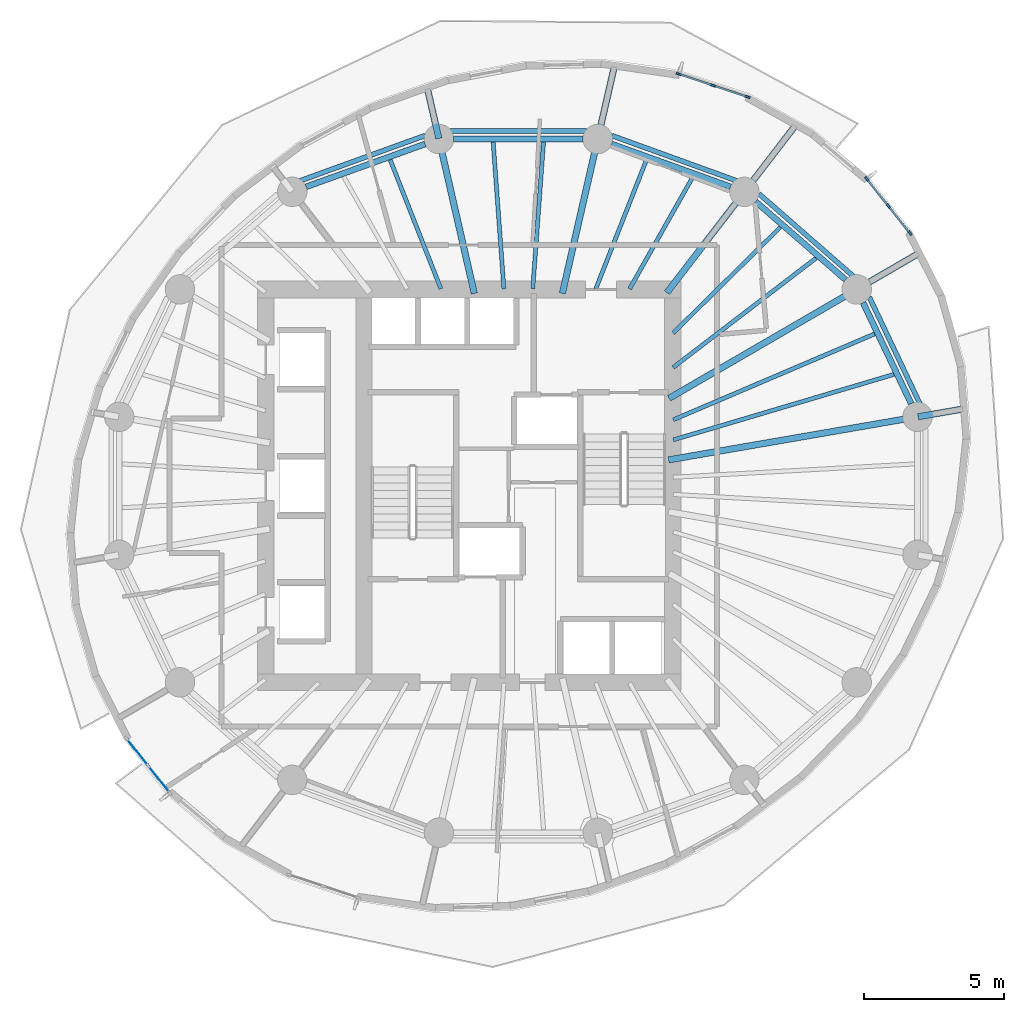
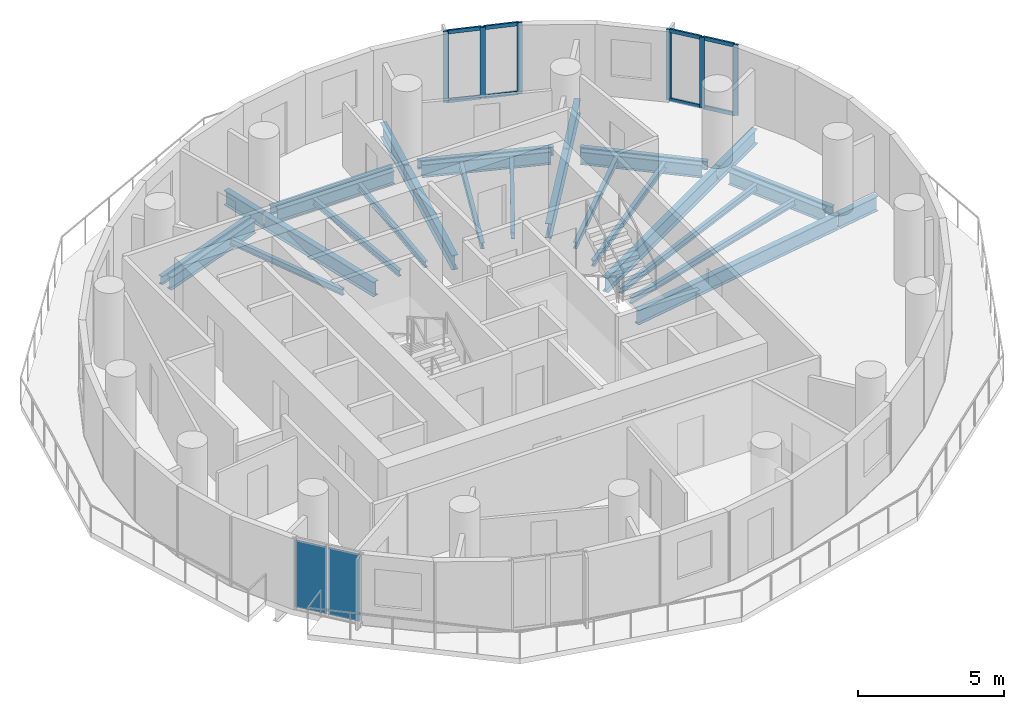
# One storey, part 3 of 12: 29 beams, 14 members, 2 plates, 3 elements without a shape of their own.
"""IFC4 building model written with IfcOpenShell, lengths in metres."""

from ifc_helpers import new_model, si_unit, direction, frame, origin, origin_2d, place, context, subcontext, project, spatial, rectangle, i_section, extrude, material, layer, layer_set, material_profile, profile_set, type_object, element, aggregate, save


model = new_model("IFC4")

# Units and contexts
model_context = context("Model", 3, precision=1e-05, world=origin(), true_north=direction((0.0, 1.0)))
body_context = subcontext(model_context, "Body", "Model", "MODEL_VIEW")
ifc_project = project(units=[si_unit("LENGTHUNIT", "METRE"), si_unit("AREAUNIT", "SQUARE_METRE"), si_unit("VOLUMEUNIT", "CUBIC_METRE"), si_unit("PLANEANGLEUNIT", "RADIAN"), si_unit("MASSUNIT", "GRAM", prefix="KILO")], contexts=[model_context])

# Site, building, storey
site_placement = place(None, origin())
site = spatial("IfcSite", under=ifc_project, at=site_placement, CompositionType="ELEMENT")
building_placement = place(site_placement, origin())
building = spatial("IfcBuilding", under=site, at=building_placement, Name="Veldorim Arch Residences", CompositionType="ELEMENT")
storey_placement = place(building_placement, frame((0.0, 0.0, 132.9599609375)))
storey = spatial("IfcBuildingStorey", under=building, at=storey_placement, Name="L39", CompositionType="ELEMENT", Elevation=132.9599609375)

# Beams
ifc_material_1 = material(Name="Steel S355", Category="steel")
ifc_material_profile_1 = material_profile(ifc_material_1, i_section(OverallWidth=0.2099609375, OverallDepth=0.53662109375, WebThickness=0.0107421875, FlangeThickness=0.017333984375, at=origin_2d()), Name="UB533x210x101")
ifc_profile_set_1 = profile_set([ifc_material_profile_1], Name="Steel S355")
beam_type_1 = type_object("IfcBeamType", Name="Structural Steel Beam UB533x210x101", PredefinedType="BEAM", material=ifc_profile_set_1)
beam_1_placement = place(storey_placement, frame((45.99560546875, 26.931884765625, -0.50830078125), z_axis=(-0.43028577851, 0.902692721147, 0.0), x_axis=(-0.902692721147, -0.43028577851, 0.0)))
element("IfcBeam", 1, at=beam_1_placement, inside=storey, type_object=beam_type_1, Name="L39 perimeter ring tie beam 01", PredefinedType="BEAM", context=body_context, shape_type="SweptSolid", body=[
    extrude(i_section(OverallWidth=0.2099609375, OverallDepth=0.53662109375, WebThickness=0.0107421875, FlangeThickness=0.017333984375, at=origin_2d()), origin(), (0.0, 0.0, 1.0), 3.98193359375),
])
beam_2_placement = place(storey_placement, frame((43.659912109375, 31.344482421875, -0.50830078125), z_axis=(-0.754810789581, 0.655942582802, 0.0), x_axis=(-0.655942582802, -0.754810789581, 0.0)))
element("IfcBeam", 2, at=beam_2_placement, inside=storey, type_object=beam_type_1, Name="L39 perimeter ring tie beam 02", PredefinedType="BEAM", context=body_context, shape_type="SweptSolid", body=[
    extrude(i_section(OverallWidth=0.2099609375, OverallDepth=0.53662109375, WebThickness=0.0107421875, FlangeThickness=0.017333984375, at=origin_2d()), origin(), (0.0, 0.0, 1.0), 4.249755859375),
])
beam_3_placement = place(storey_placement, frame((39.561767578125, 34.654296875, -0.50830078125), z_axis=(-0.940899155006, 0.338686846673, 0.0), x_axis=(-0.338686846673, -0.940899155006, 0.0)))
element("IfcBeam", 3, at=beam_3_placement, inside=storey, type_object=beam_type_1, Name="L39 perimeter ring tie beam 03", PredefinedType="BEAM", context=body_context, shape_type="SweptSolid", body=[
    extrude(i_section(OverallWidth=0.2099609375, OverallDepth=0.53662109375, WebThickness=0.0107421875, FlangeThickness=0.017333984375, at=origin_2d()), origin(), (0.0, 0.0, 1.0), 4.50537109375),
])
beam_4_placement = place(storey_placement, frame((34.3037109375, 36.35791015625, -0.50830078125), z_axis=(-1.0, 0.0, 0.0), x_axis=(0.0, -1.0, 0.0)))
element("IfcBeam", 4, at=beam_4_placement, inside=storey, type_object=beam_type_1, Name="L39 perimeter ring tie beam 04", PredefinedType="BEAM", context=body_context, shape_type="SweptSolid", body=[
    extrude(i_section(OverallWidth=0.2099609375, OverallDepth=0.53662109375, WebThickness=0.0107421875, FlangeThickness=0.017333984375, at=origin_2d()), origin(), (0.0, 0.0, 1.0), 4.607421875),
])
beam_5_placement = place(storey_placement, frame((28.67724609375, 36.18017578125, -0.50830078125), z_axis=(-0.940899155006, -0.338686846673, 0.0), x_axis=(0.338686846673, -0.940899155006, 0.0)))
element("IfcBeam", 5, at=beam_5_placement, inside=storey, type_object=beam_type_1, Name="L39 perimeter ring tie beam 05", PredefinedType="BEAM", context=body_context, shape_type="SweptSolid", body=[
    extrude(i_section(OverallWidth=0.2099609375, OverallDepth=0.53662109375, WebThickness=0.0107421875, FlangeThickness=0.017333984375, at=origin_2d()), origin(), (0.0, 0.0, 1.0), 4.50537109375),
])
ifc_material_2 = material(Name="Steel S355", Category="steel")
ifc_material_profile_2 = material_profile(ifc_material_2, i_section(OverallWidth=0.22900390625, OverallDepth=0.6123046875, WebThickness=0.011962890625, FlangeThickness=0.01953125, at=origin_2d()), Name="UB610x229x125")
ifc_profile_set_2 = profile_set([ifc_material_profile_2], Name="Steel S355")
beam_type_2 = type_object("IfcBeamType", Name="Structural Steel Beam UB610x229x125", PredefinedType="BEAM", material=ifc_profile_set_2)
beam_6_placement = place(storey_placement, frame((37.352294921875, 24.925048828125, -0.546142578125), z_axis=(0.985389398766, 0.170316566427, 0.0), x_axis=(-0.170316566427, 0.985389398766, 0.0)))
element("IfcBeam", 6, at=beam_6_placement, inside=storey, type_object=beam_type_2, Name="L39 radial floor girder 01", PredefinedType="BEAM", context=body_context, shape_type="SweptSolid", body=[
    extrude(i_section(OverallWidth=0.22900390625, OverallDepth=0.6123046875, WebThickness=0.011962890625, FlangeThickness=0.01953125, at=origin_2d()), origin(), (0.0, 0.0, 1.0), 8.98046875),
])
beam_7_placement = place(storey_placement, frame((46.2412109375, 26.46142578125, -0.546142578125), z_axis=(0.985381722232, 0.170360974082, 0.0), x_axis=(-0.170360974082, 0.985381722232, 0.0)))
element("IfcBeam", 7, at=beam_7_placement, inside=storey, type_object=beam_type_2, Name="L39 radial edge cantilever girder 01", PredefinedType="BEAM", context=body_context, shape_type="SweptSolid", body=[
    extrude(i_section(OverallWidth=0.22900390625, OverallDepth=0.6123046875, WebThickness=0.011962890625, FlangeThickness=0.01953125, at=origin_2d()), origin(), (0.0, 0.0, 1.0), 1.6923828125),
])
beam_8_placement = place(storey_placement, frame((37.370361328125, 27.1181640625, -0.546142578125), z_axis=(0.864793381443, 0.502127879542, 0.0), x_axis=(-0.502127879542, 0.864793381443, 0.0)))
element("IfcBeam", 8, at=beam_8_placement, inside=storey, type_object=beam_type_2, Name="L39 radial floor girder 02", PredefinedType="BEAM", context=body_context, shape_type="SweptSolid", body=[
    extrude(i_section(OverallWidth=0.22900390625, OverallDepth=0.6123046875, WebThickness=0.011962890625, FlangeThickness=0.01953125, at=origin_2d()), origin(), (0.0, 0.0, 1.0), 7.71142578125),
])
beam_9_placement = place(storey_placement, frame((44.073486328125, 31.01025390625, -0.546142578125), z_axis=(0.864786295309, 0.502140083488, 0.0), x_axis=(-0.502140083488, 0.864786295309, 0.0)))
element("IfcBeam", 9, at=beam_9_placement, inside=storey, type_object=beam_type_2, Name="L39 radial edge cantilever girder 02", PredefinedType="BEAM", context=body_context, shape_type="SweptSolid", body=[
    extrude(i_section(OverallWidth=0.22900390625, OverallDepth=0.6123046875, WebThickness=0.011962890625, FlangeThickness=0.01953125, at=origin_2d()), origin(), (0.0, 0.0, 1.0), 2.579833984375),
])
beam_10_placement = place(storey_placement, frame((37.291259765625, 30.881103515625, -0.546142578125), z_axis=(0.609559199361, 0.792740551804, 0.0), x_axis=(-0.792740551804, 0.609559199361, 0.0)))
element("IfcBeam", 10, at=beam_10_placement, inside=storey, type_object=beam_type_2, Name="L39 radial floor girder 03", PredefinedType="BEAM", context=body_context, shape_type="SweptSolid", body=[
    extrude(i_section(OverallWidth=0.22900390625, OverallDepth=0.6123046875, WebThickness=0.011962890625, FlangeThickness=0.01953125, at=origin_2d()), origin(), (0.0, 0.0, 1.0), 4.515380859375),
])
beam_11_placement = place(storey_placement, frame((40.068115234375, 34.492431640625, -0.546142578125), z_axis=(0.609562364778, 0.792738117821, 0.0), x_axis=(-0.792738117821, 0.609562364778, 0.0)))
element("IfcBeam", 11, at=beam_11_placement, inside=storey, type_object=beam_type_2, Name="L39 radial edge cantilever girder 03", PredefinedType="BEAM", context=body_context, shape_type="SweptSolid", body=[
    extrude(i_section(OverallWidth=0.22900390625, OverallDepth=0.6123046875, WebThickness=0.011962890625, FlangeThickness=0.01953125, at=origin_2d()), origin(), (0.0, 0.0, 1.0), 3.021484375),
])
beam_12_placement = place(storey_placement, frame((33.56884765625, 30.853759765625, -0.546142578125), z_axis=(0.223119342184, 0.974791136164, 0.0), x_axis=(-0.974791136164, 0.223119342184, 0.0)))
element("IfcBeam", 12, at=beam_12_placement, inside=storey, type_object=beam_type_2, Name="L39 radial floor girder 04", PredefinedType="BEAM", context=body_context, shape_type="SweptSolid", body=[
    extrude(i_section(OverallWidth=0.22900390625, OverallDepth=0.6123046875, WebThickness=0.011962890625, FlangeThickness=0.01953125, at=origin_2d()), origin(), (0.0, 0.0, 1.0), 5.62646484375),
])
beam_13_placement = place(storey_placement, frame((34.833251953125, 36.37744140625, -0.546142578125), z_axis=(0.223142644538, 0.974785802209, 0.0), x_axis=(-0.974785802209, 0.223142644538, 0.0)))
element("IfcBeam", 13, at=beam_13_placement, inside=storey, type_object=beam_type_2, Name="L39 radial edge cantilever girder 04", PredefinedType="BEAM", context=body_context, shape_type="SweptSolid", body=[
    extrude(i_section(OverallWidth=0.22900390625, OverallDepth=0.6123046875, WebThickness=0.011962890625, FlangeThickness=0.01953125, at=origin_2d()), origin(), (0.0, 0.0, 1.0), 2.6904296875),
])
beam_14_placement = place(storey_placement, frame((30.43115234375, 30.853759765625, -0.546142578125), z_axis=(-0.223119342184, 0.974791136164, 0.0), x_axis=(-0.974791136164, -0.223119342184, 0.0)))
element("IfcBeam", 14, at=beam_14_placement, inside=storey, type_object=beam_type_2, Name="L39 radial floor girder 05", PredefinedType="BEAM", context=body_context, shape_type="SweptSolid", body=[
    extrude(i_section(OverallWidth=0.22900390625, OverallDepth=0.6123046875, WebThickness=0.011962890625, FlangeThickness=0.01953125, at=origin_2d()), origin(), (0.0, 0.0, 1.0), 5.62646484375),
])
beam_15_placement = place(storey_placement, frame((29.166748046875, 36.37744140625, -0.546142578125), z_axis=(-0.223112606044, 0.97479267797, 0.0), x_axis=(-0.97479267797, -0.223112606044, 0.0)))
element("IfcBeam", 15, at=beam_15_placement, inside=storey, type_object=beam_type_2, Name="L39 radial edge cantilever girder 05", PredefinedType="BEAM", context=body_context, shape_type="SweptSolid", body=[
    extrude(i_section(OverallWidth=0.22900390625, OverallDepth=0.6123046875, WebThickness=0.011962890625, FlangeThickness=0.01953125, at=origin_2d()), origin(), (0.0, 0.0, 1.0), 1.888671875),
])
ifc_material_3 = material(Name="Steel S355", Category="steel")
ifc_material_profile_3 = material_profile(ifc_material_3, i_section(OverallWidth=0.146484375, OverallDepth=0.256103515625, WebThickness=0.00634765625, FlangeThickness=0.010986328125, at=origin_2d()), Name="UB254x146x37")
ifc_profile_set_3 = profile_set([ifc_material_profile_3], Name="Steel S355")
beam_type_3 = type_object("IfcBeamType", Name="Structural Steel Joist UB254x146x37", PredefinedType="JOIST", material=ifc_profile_set_3)
beam_16_placement = place(storey_placement, frame((37.519287109375, 25.63818359375, -0.367919921875), z_axis=(0.958674276305, 0.284505943614, 0.0), x_axis=(-0.284505943614, 0.958674276305, 0.0)))
element("IfcBeam", 16, at=beam_16_placement, inside=storey, type_object=beam_type_3, Name="L39 secondary radial floor joist 01-1", PredefinedType="JOIST", context=body_context, shape_type="SweptSolid", body=[
    extrude(i_section(OverallWidth=0.146484375, OverallDepth=0.256103515625, WebThickness=0.00634765625, FlangeThickness=0.010986328125, at=origin_2d()), origin(), (0.0, 0.0, 1.0), 8.2001953125),
])
beam_17_placement = place(storey_placement, frame((37.518310546875, 26.353515625, -0.367919921875), z_axis=(0.919831795434, 0.39231297214, 0.0), x_axis=(-0.39231297214, 0.919831795434, 0.0)))
element("IfcBeam", 17, at=beam_17_placement, inside=storey, type_object=beam_type_3, Name="L39 secondary radial floor joist 01-2", PredefinedType="JOIST", context=body_context, shape_type="SweptSolid", body=[
    extrude(i_section(OverallWidth=0.146484375, OverallDepth=0.256103515625, WebThickness=0.00634765625, FlangeThickness=0.010986328125, at=origin_2d()), origin(), (0.0, 0.0, 1.0), 7.798828125),
])
beam_18_placement = place(storey_placement, frame((37.515869140625, 28.219482421875, -0.367919921875), z_axis=(0.794267053144, 0.607568801281, 0.0), x_axis=(-0.607568801281, 0.794267053144, 0.0)))
element("IfcBeam", 18, at=beam_18_placement, inside=storey, type_object=beam_type_3, Name="L39 secondary radial floor joist 02-1", PredefinedType="JOIST", context=body_context, shape_type="SweptSolid", body=[
    extrude(i_section(OverallWidth=0.146484375, OverallDepth=0.256103515625, WebThickness=0.00634765625, FlangeThickness=0.010986328125, at=origin_2d()), origin(), (0.0, 0.0, 1.0), 6.412841796875),
])
beam_19_placement = place(storey_placement, frame((37.51416015625, 29.443115234375, -0.367919921875), z_axis=(0.711703457158, 0.702480027523, 0.0), x_axis=(-0.702480027523, 0.711703457158, 0.0)))
element("IfcBeam", 19, at=beam_19_placement, inside=storey, type_object=beam_type_3, Name="L39 secondary radial floor joist 02-2", PredefinedType="JOIST", context=body_context, shape_type="SweptSolid", body=[
    extrude(i_section(OverallWidth=0.146484375, OverallDepth=0.256103515625, WebThickness=0.00634765625, FlangeThickness=0.010986328125, at=origin_2d()), origin(), (0.0, 0.0, 1.0), 5.373291015625),
])
beam_20_placement = place(storey_placement, frame((35.96337890625, 31.017333984375, -0.367919921875), z_axis=(0.491815801586, 0.870699269157, 0.0), x_axis=(-0.870699269157, 0.491815801586, 0.0)))
element("IfcBeam", 20, at=beam_20_placement, inside=storey, type_object=beam_type_3, Name="L39 secondary radial floor joist 03-1", PredefinedType="JOIST", context=body_context, shape_type="SweptSolid", body=[
    extrude(i_section(OverallWidth=0.146484375, OverallDepth=0.256103515625, WebThickness=0.00634765625, FlangeThickness=0.010986328125, at=origin_2d()), origin(), (0.0, 0.0, 1.0), 4.59814453125),
])
beam_21_placement = place(storey_placement, frame((34.7587890625, 31.0185546875, -0.367919921875), z_axis=(0.365777738491, 0.930702232739, 0.0), x_axis=(-0.930702232739, 0.365777738491, 0.0)))
element("IfcBeam", 21, at=beam_21_placement, inside=storey, type_object=beam_type_3, Name="L39 secondary radial floor joist 03-2", PredefinedType="JOIST", context=body_context, shape_type="SweptSolid", body=[
    extrude(i_section(OverallWidth=0.146484375, OverallDepth=0.256103515625, WebThickness=0.00634765625, FlangeThickness=0.010986328125, at=origin_2d()), origin(), (0.0, 0.0, 1.0), 4.9404296875),
])
for number, where, z_axis, x_axis, name in (
    (22, (32.51416015625, 31.02001953125, -0.367919921875), (0.073060364166, 0.997327520521, 0.0), (-0.997327520521, 0.073060364166, 0.0), "L39 secondary radial floor joist 04-1"),
    (23, (31.48583984375, 31.02001953125, -0.367919921875), (-0.073060364166, 0.997327520521, 0.0), (-0.997327520521, -0.073060364166, 0.0), "L39 secondary radial floor joist 04-2"),
):
    element("IfcBeam", number, at=place(storey_placement, frame(where, z_axis=z_axis, x_axis=x_axis)), inside=storey, type_object=beam_type_3, Name=name, PredefinedType="JOIST", context=body_context, shape_type="SweptSolid", body=[
        extrude(i_section(OverallWidth=0.146484375, OverallDepth=0.256103515625, WebThickness=0.00634765625, FlangeThickness=0.010986328125, at=origin_2d()), origin(), (0.0, 0.0, 1.0), 5.242919921875),
    ])
beam_22_placement = place(storey_placement, frame((29.2412109375, 31.0185546875, -0.367919921875), z_axis=(-0.365777738491, 0.930702232739, 0.0), x_axis=(-0.930702232739, -0.365777738491, 0.0)))
element("IfcBeam", 24, at=beam_22_placement, inside=storey, type_object=beam_type_3, Name="L39 secondary radial floor joist 05-1", PredefinedType="JOIST", context=body_context, shape_type="SweptSolid", body=[
    extrude(i_section(OverallWidth=0.146484375, OverallDepth=0.256103515625, WebThickness=0.00634765625, FlangeThickness=0.010986328125, at=origin_2d()), origin(), (0.0, 0.0, 1.0), 4.9404296875),
])
ifc_material_4 = material(Name="Steel S355", Category="steel")
ifc_material_profile_4 = material_profile(ifc_material_4, i_section(OverallWidth=0.172119140625, OverallDepth=0.35791015625, WebThickness=0.008056640625, FlangeThickness=0.012939453125, at=origin_2d()), Name="UB356x171x57")
ifc_profile_set_4 = profile_set([ifc_material_profile_4], Name="Steel S355")
beam_type_4 = type_object("IfcBeamType", Name="Structural Steel Spandrel UB356x171x57", PredefinedType="SPANDREL", material=ifc_profile_set_4)
beam_23_placement = place(storey_placement, frame((46.307861328125, 26.9248046875, -0.43896484375), z_axis=(-0.428579957662, 0.903503857153, 0.0), x_axis=(-0.903503857153, -0.428579957662, 0.0)))
element("IfcBeam", 25, at=beam_23_placement, inside=storey, type_object=beam_type_4, Name="L39 perimeter chord spandrel beam 01", PredefinedType="SPANDREL", context=body_context, shape_type="SweptSolid", body=[
    extrude(i_section(OverallWidth=0.172119140625, OverallDepth=0.35791015625, WebThickness=0.008056640625, FlangeThickness=0.012939453125, at=origin_2d()), origin(), (0.0, 0.0, 1.0), 4.209228515625),
])
beam_24_placement = place(storey_placement, frame((43.9580078125, 31.44921875, -0.43896484375), z_axis=(-0.753014748982, 0.658003638148, 0.0), x_axis=(-0.658003638148, -0.753014748982, 0.0)))
element("IfcBeam", 26, at=beam_24_placement, inside=storey, type_object=beam_type_4, Name="L39 perimeter chord spandrel beam 02", PredefinedType="SPANDREL", context=body_context, shape_type="SweptSolid", body=[
    extrude(i_section(OverallWidth=0.172119140625, OverallDepth=0.35791015625, WebThickness=0.008056640625, FlangeThickness=0.012939453125, at=origin_2d()), origin(), (0.0, 0.0, 1.0), 4.486572265625),
])
beam_25_placement = place(storey_placement, frame((39.79736328125, 34.86279296875, -0.43896484375), z_axis=(-0.940212553113, 0.340588248429, 0.0), x_axis=(-0.340588248429, -0.940212553113, 0.0)))
element("IfcBeam", 27, at=beam_25_placement, inside=storey, type_object=beam_type_4, Name="L39 perimeter chord spandrel beam 03", PredefinedType="SPANDREL", context=body_context, shape_type="SweptSolid", body=[
    extrude(i_section(OverallWidth=0.172119140625, OverallDepth=0.35791015625, WebThickness=0.008056640625, FlangeThickness=0.012939453125, at=origin_2d()), origin(), (0.0, 0.0, 1.0), 4.75390625),
])
beam_26_placement = place(storey_placement, frame((34.43115234375, 36.639404296875, -0.43896484375), z_axis=(-1.0, 0.0, 0.0), x_axis=(0.0, -1.0, 0.0)))
element("IfcBeam", 28, at=beam_26_placement, inside=storey, type_object=beam_type_4, Name="L39 perimeter chord spandrel beam 04", PredefinedType="SPANDREL", context=body_context, shape_type="SweptSolid", body=[
    extrude(i_section(OverallWidth=0.172119140625, OverallDepth=0.35791015625, WebThickness=0.008056640625, FlangeThickness=0.012939453125, at=origin_2d()), origin(), (0.0, 0.0, 1.0), 4.8623046875),
])
beam_27_placement = place(storey_placement, frame((28.67236328125, 36.48193359375, -0.43896484375), z_axis=(-0.940212553113, -0.340588248429, 0.0), x_axis=(0.340588248429, -0.940212553113, 0.0)))
element("IfcBeam", 29, at=beam_27_placement, inside=storey, type_object=beam_type_4, Name="L39 perimeter chord spandrel beam 05", PredefinedType="SPANDREL", context=body_context, shape_type="SweptSolid", body=[
    extrude(i_section(OverallWidth=0.172119140625, OverallDepth=0.35791015625, WebThickness=0.008056640625, FlangeThickness=0.012939453125, at=origin_2d()), origin(), (0.0, 0.0, 1.0), 4.75390625),
])

# Curtain wall, members
ifc_material_5 = material(Name="Aluminium", Category="aluminium")
curtain_wall_type = type_object("IfcCurtainWallType", Name="Zone 3 High-Wind Unitised Curtain Wall", PredefinedType="NOTDEFINED", material=ifc_material_5)
curtain_wall_1_placement = place(storey_placement, origin())
curtain_wall_1 = element("IfcCurtainWall", 30, at=curtain_wall_1_placement, inside=storey, type_object=curtain_wall_type, Name="L39 unitised curtain wall bay 01", PredefinedType="NOTDEFINED")
ifc_material_6 = material(Name="Aluminium", Category="aluminium")
ifc_material_profile_5 = material_profile(ifc_material_6, rectangle(XDim=0.070068359375, YDim=0.179931640625, at=origin_2d()), Name="ALU_MUL_70x180")
ifc_profile_set_5 = profile_set([ifc_material_profile_5], Name="Aluminium")
member_type_1 = type_object("IfcMemberType", Name="Zone 3 High-Wind Unitised Curtain Wall Mullion 70x180", PredefinedType="MULLION", material=ifc_profile_set_5)
member_1_placement = place(storey_placement, frame((44.41748046875, 34.9365234375, 0.0), z_axis=(0.0, 0.0, 1.0), x_axis=(0.782556048079, 0.622580140716, 0.0)))
member_1 = element("IfcMember", 31, at=member_1_placement, type_object=member_type_1, Name="CW-Z3 mullion 1", PredefinedType="MULLION", context=body_context, shape_type="SweptSolid", body=[
    extrude(rectangle(XDim=0.070068359375, YDim=0.179931640625, at=origin_2d()), origin(), (0.0, 0.0, 1.0), 2.9599609375),
])
member_2_placement = place(storey_placement, frame((45.1845703125, 33.97216796875, 0.0), z_axis=(0.0, 0.0, 1.0), x_axis=(0.782556048079, 0.622580140716, 0.0)))
member_2 = element("IfcMember", 32, at=member_2_placement, type_object=member_type_1, Name="CW-Z3 mullion 2", PredefinedType="MULLION", context=body_context, shape_type="SweptSolid", body=[
    extrude(rectangle(XDim=0.070068359375, YDim=0.179931640625, at=origin_2d()), origin(), (0.0, 0.0, 1.0), 2.9599609375),
])
member_3_placement = place(storey_placement, frame((45.95166015625, 33.008056640625, 0.0), z_axis=(0.0, 0.0, 1.0), x_axis=(0.782556048079, 0.622580140716, 0.0)))
member_3 = element("IfcMember", 33, at=member_3_placement, type_object=member_type_1, Name="CW-Z3 mullion 3", PredefinedType="MULLION", context=body_context, shape_type="SweptSolid", body=[
    extrude(rectangle(XDim=0.070068359375, YDim=0.179931640625, at=origin_2d()), origin(), (0.0, 0.0, 1.0), 2.9599609375),
])

curtain_wall_2_placement = place(storey_placement, origin())
curtain_wall_2 = element("IfcCurtainWall", 34, at=curtain_wall_2_placement, inside=storey, type_object=curtain_wall_type, Name="L39 unitised curtain wall bay 04", PredefinedType="NOTDEFINED")
member_4_placement = place(storey_placement, frame((37.71240234375, 38.6748046875, 0.0), z_axis=(0.0, 0.0, 1.0), x_axis=(0.315551503895, 0.948908451006, 0.0)))
member_4 = element("IfcMember", 35, at=member_4_placement, type_object=member_type_1, Name="CW-Z3 mullion 1", PredefinedType="MULLION", context=body_context, shape_type="SweptSolid", body=[
    extrude(rectangle(XDim=0.070068359375, YDim=0.179931640625, at=origin_2d()), origin(), (0.0, 0.0, 1.0), 2.9599609375),
])
member_5_placement = place(storey_placement, frame((38.9423828125, 38.265869140625, 0.0), z_axis=(0.0, 0.0, 1.0), x_axis=(0.315551503895, 0.948908451006, 0.0)))
member_5 = element("IfcMember", 36, at=member_5_placement, type_object=member_type_1, Name="CW-Z3 mullion 2", PredefinedType="MULLION", context=body_context, shape_type="SweptSolid", body=[
    extrude(rectangle(XDim=0.070068359375, YDim=0.179931640625, at=origin_2d()), origin(), (0.0, 0.0, 1.0), 2.9599609375),
])
member_6_placement = place(storey_placement, frame((40.172119140625, 37.85693359375, 0.0), z_axis=(0.0, 0.0, 1.0), x_axis=(0.315551503895, 0.948908451006, 0.0)))
member_6 = element("IfcMember", 37, at=member_6_placement, type_object=member_type_1, Name="CW-Z3 mullion 3", PredefinedType="MULLION", context=body_context, shape_type="SweptSolid", body=[
    extrude(rectangle(XDim=0.070068359375, YDim=0.179931640625, at=origin_2d()), origin(), (0.0, 0.0, 1.0), 2.9599609375),
])

# Member
ifc_material_7 = material(Name="Aluminium", Category="aluminium")
ifc_material_profile_6 = material_profile(ifc_material_7, rectangle(XDim=0.070068359375, YDim=0.155029296875, at=origin_2d()), Name="ALU_TRN_70x155")
ifc_profile_set_6 = profile_set([ifc_material_profile_6], Name="Aluminium")
member_type_2 = type_object("IfcMemberType", Name="Zone 3 High-Wind Unitised Curtain Wall Transom 70x155", PredefinedType="USERDEFINED", material=ifc_profile_set_6)
member_7_placement = place(storey_placement, frame((44.439208984375, 34.908935546875, 0.03515625), z_axis=(0.622745807407, -0.782424219562, 0.0), x_axis=(0.782424219562, 0.622745807407, 0.0)))
member_7 = element("IfcMember", 38, at=member_7_placement, type_object=member_type_2, Name="CW-Z3 transom 1.1", ObjectType="TRANSOM", PredefinedType="USERDEFINED", context=body_context, shape_type="SweptSolid", body=[
    extrude(rectangle(XDim=0.070068359375, YDim=0.155029296875, at=origin_2d()), origin(), (0.0, 0.0, 1.0), 1.162109375),
])

member_8_placement = place(storey_placement, frame((44.439208984375, 34.908935546875, 2.925048828125), z_axis=(0.622745807407, -0.782424219562, 0.0), x_axis=(0.782424219562, 0.622745807407, 0.0)))
member_8 = element("IfcMember", 39, at=member_8_placement, type_object=member_type_2, Name="CW-Z3 transom 1.2", ObjectType="TRANSOM", PredefinedType="USERDEFINED", context=body_context, shape_type="SweptSolid", body=[
    extrude(rectangle(XDim=0.070068359375, YDim=0.155029296875, at=origin_2d()), origin(), (0.0, 0.0, 1.0), 1.162109375),
])

member_9_placement = place(storey_placement, frame((45.206298828125, 33.94482421875, 0.03515625), z_axis=(0.622643445839, -0.782505680078, 0.0), x_axis=(0.782505680078, 0.622643445839, 0.0)))
member_9 = element("IfcMember", 40, at=member_9_placement, type_object=member_type_2, Name="CW-Z3 transom 2.1", ObjectType="TRANSOM", PredefinedType="USERDEFINED", context=body_context, shape_type="SweptSolid", body=[
    extrude(rectangle(XDim=0.070068359375, YDim=0.155029296875, at=origin_2d()), origin(), (0.0, 0.0, 1.0), 1.162109375),
])

member_10_placement = place(storey_placement, frame((45.206298828125, 33.94482421875, 2.925048828125), z_axis=(0.622643445839, -0.782505680078, 0.0), x_axis=(0.782505680078, 0.622643445839, 0.0)))
member_10 = element("IfcMember", 41, at=member_10_placement, type_object=member_type_2, Name="CW-Z3 transom 2.2", ObjectType="TRANSOM", PredefinedType="USERDEFINED", context=body_context, shape_type="SweptSolid", body=[
    extrude(rectangle(XDim=0.070068359375, YDim=0.155029296875, at=origin_2d()), origin(), (0.0, 0.0, 1.0), 1.162109375),
])

aggregate(curtain_wall_1, [member_1, member_2, member_3, member_7, member_8, member_9, member_10])

member_11_placement = place(storey_placement, frame((37.74560546875, 38.663818359375, 0.03515625), z_axis=(0.948902078568, -0.315570666079, 0.0), x_axis=(0.315570666079, 0.948902078568, 0.0)))
member_11 = element("IfcMember", 42, at=member_11_placement, type_object=member_type_2, Name="CW-Z3 transom 1.1", ObjectType="TRANSOM", PredefinedType="USERDEFINED", context=body_context, shape_type="SweptSolid", body=[
    extrude(rectangle(XDim=0.070068359375, YDim=0.155029296875, at=origin_2d()), origin(), (0.0, 0.0, 1.0), 1.226318359375),
])

member_12_placement = place(storey_placement, frame((37.74560546875, 38.663818359375, 2.925048828125), z_axis=(0.948902078568, -0.315570666079, 0.0), x_axis=(0.315570666079, 0.948902078568, 0.0)))
member_12 = element("IfcMember", 43, at=member_12_placement, type_object=member_type_2, Name="CW-Z3 transom 1.2", ObjectType="TRANSOM", PredefinedType="USERDEFINED", context=body_context, shape_type="SweptSolid", body=[
    extrude(rectangle(XDim=0.070068359375, YDim=0.155029296875, at=origin_2d()), origin(), (0.0, 0.0, 1.0), 1.226318359375),
])

member_13_placement = place(storey_placement, frame((38.9755859375, 38.2548828125, 0.03515625), z_axis=(0.948882245783, -0.315630295817, 0.0), x_axis=(0.315630295817, 0.948882245783, 0.0)))
member_13 = element("IfcMember", 44, at=member_13_placement, type_object=member_type_2, Name="CW-Z3 transom 2.1", ObjectType="TRANSOM", PredefinedType="USERDEFINED", context=body_context, shape_type="SweptSolid", body=[
    extrude(rectangle(XDim=0.070068359375, YDim=0.155029296875, at=origin_2d()), origin(), (0.0, 0.0, 1.0), 1.22607421875),
])

member_14_placement = place(storey_placement, frame((38.9755859375, 38.2548828125, 2.925048828125), z_axis=(0.948882245783, -0.315630295817, 0.0), x_axis=(0.315630295817, 0.948882245783, 0.0)))
member_14 = element("IfcMember", 45, at=member_14_placement, type_object=member_type_2, Name="CW-Z3 transom 2.2", ObjectType="TRANSOM", PredefinedType="USERDEFINED", context=body_context, shape_type="SweptSolid", body=[
    extrude(rectangle(XDim=0.070068359375, YDim=0.155029296875, at=origin_2d()), origin(), (0.0, 0.0, 1.0), 1.22607421875),
])

aggregate(curtain_wall_2, [member_4, member_5, member_6, member_11, member_12, member_13, member_14])

# Curtain wall, plates
curtain_wall_3_placement = place(storey_placement, origin())
curtain_wall_3 = element("IfcCurtainWall", 46, at=curtain_wall_3_placement, inside=storey, type_object=curtain_wall_type, Name="L39 unitised curtain wall bay 19", PredefinedType="NOTDEFINED")
ifc_material_8 = material(Name="Laminated Low-E Glass", Category="glass")
ifc_layer = layer(ifc_material_8, 0.028076171875, Name="Zone 3 High-Wind Unitised Curtain Wall Glazing Panel 28")
ifc_layer_set = layer_set([ifc_layer], Name="Laminated Low-E Glass")
plate_type = type_object("IfcPlateType", Name="Zone 3 High-Wind Unitised Curtain Wall Glazing Panel 28", PredefinedType="CURTAIN_PANEL", material=ifc_layer_set)
plate_1_placement = place(storey_placement, frame((19.198974609375, 13.545654296875, 0.06982421875), z_axis=(0.0, 0.0, 1.0), x_axis=(-0.622580140716, 0.782556048079, 0.0)))
plate_1 = element("IfcPlate", 47, at=plate_1_placement, type_object=plate_type, Name="CW-Z3 panel 1.1", PredefinedType="CURTAIN_PANEL", context=body_context, shape_type="SweptSolid", body=[
    extrude(rectangle(XDim=1.162109375, YDim=0.028076171875, at=origin_2d()), origin(), (0.0, 0.0, 1.0), 2.820068359375),
])
plate_2_placement = place(storey_placement, frame((18.431884765625, 14.509765625, 0.06982421875), z_axis=(0.0, 0.0, 1.0), x_axis=(-0.622580140716, 0.782556048079, 0.0)))
plate_2 = element("IfcPlate", 48, at=plate_2_placement, type_object=plate_type, Name="CW-Z3 panel 2.1", PredefinedType="CURTAIN_PANEL", context=body_context, shape_type="SweptSolid", body=[
    extrude(rectangle(XDim=1.162109375, YDim=0.028076171875, at=origin_2d()), origin(), (0.0, 0.0, 1.0), 2.820068359375),
])
aggregate(curtain_wall_3, [plate_1, plate_2])

save(model, "model.ifc")
